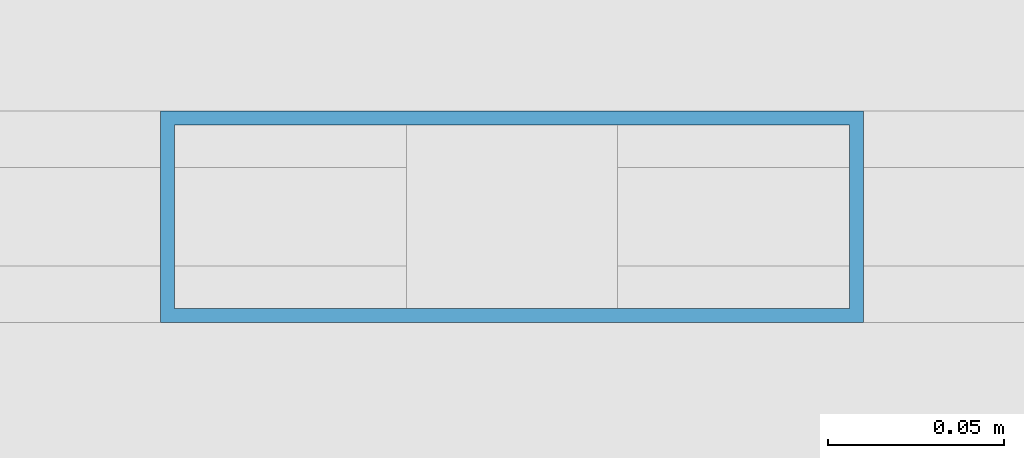
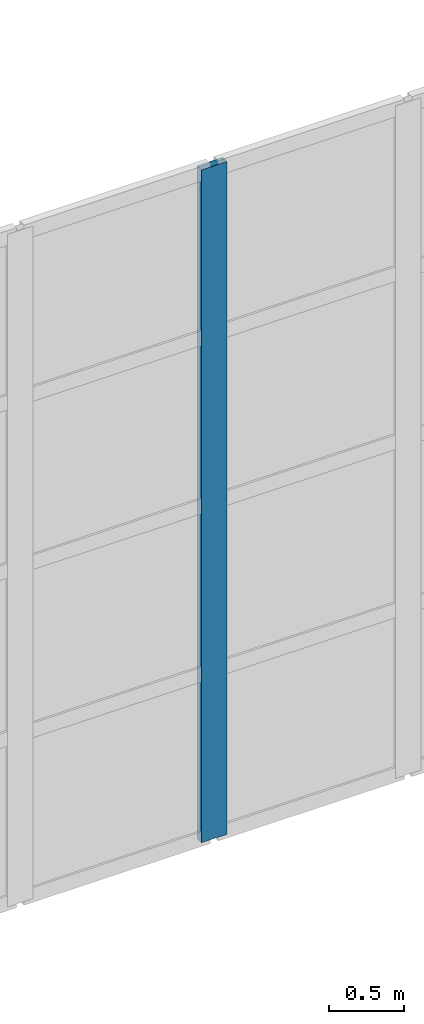
# One storey, part 157 of 437: 1 member, 1 element without a shape of its own.
"""IFC4 building model written with IfcOpenShell, lengths in metres."""

import ifcopenshell
import ifcopenshell.guid

model = None  # the IFC model being written
_history = None  # IfcOwnerHistory: only IFC2X3 demands one
_inside = {}  # id of a spatial element -> (the spatial element, [elements in it])
_under = {}  # id of a project, library or spatial element -> (it, [spatial elements below it])
_declared = {}  # id of a project -> (the project, [libraries it declares])
_typed = {}  # id of a type object -> (the type object, [elements of that type])
_made_of = {}  # id of a material, layer set ... -> (it, [elements and type objects made of it])


def new_model(schema):
    """Start an empty IFC model of exactly this schema.

    Asked for "IFC4X3", IfcOpenShell would pick the latest addendum, in which some entities
    have other attributes; the version numbers below select the first issue.
    IFC2X3 requires an IfcOwnerHistory on every rooted entity: one is made here for all.
    """
    global model, _history
    if schema == "IFC4X3":
        model = ifcopenshell.file(schema_version=(4, 3, 0, 0))
    else:
        model = ifcopenshell.file(schema=schema)
    _inside.clear()
    _under.clear()
    _declared.clear()
    _typed.clear()
    _made_of.clear()
    _history = None
    if model.schema == "IFC2X3":
        org = make("IfcOrganization", Name="unknown")
        user = make(
            "IfcPersonAndOrganization",
            ThePerson=make("IfcPerson", FamilyName="unknown"),
            TheOrganization=org,
        )
        app = make(
            "IfcApplication",
            ApplicationDeveloper=org,
            Version="unknown",
            ApplicationFullName="unknown",
            ApplicationIdentifier="unknown",
        )
        _history = make(
            "IfcOwnerHistory",
            OwningUser=user,
            OwningApplication=app,
            ChangeAction="ADDED",
            CreationDate=0,
        )
    return model


def make(cls, **values):
    """One entity of the class cls with the attributes given. An attribute that is None is left unset."""
    return model.create_entity(
        cls, **{name: value for name, value in values.items() if value is not None}
    )


def rooted(cls, **values):
    """An entity with a GlobalId (a new one), such as an element, a storey or a relation."""
    return make(cls, GlobalId=ifcopenshell.guid.new(), OwnerHistory=_history, **values)


def si_unit(unit_type, name, prefix=None):
    """IfcSIUnit, for example si_unit("LENGTHUNIT", "METRE", prefix="MILLI")."""
    return make("IfcSIUnit", UnitType=unit_type, Prefix=prefix, Name=name)


def assignment(units):
    """IfcUnitAssignment: the units of a project."""
    return None if units is None else make("IfcUnitAssignment", Units=units)


def point(xyz):
    """IfcCartesianPoint."""
    return None if xyz is None else make("IfcCartesianPoint", Coordinates=xyz)


def direction(xyz):
    """IfcDirection."""
    return None if xyz is None else make("IfcDirection", DirectionRatios=xyz)


def frame(location, z_axis=None, x_axis=None):
    """IfcAxis2Placement3D, a coordinate frame: its origin and axes. An axis left out is left unset."""
    return make(
        "IfcAxis2Placement3D",
        Location=point(location),
        Axis=direction(z_axis),
        RefDirection=direction(x_axis),
    )


def frame_2d(location, x_axis=None):
    """IfcAxis2Placement2D, a coordinate frame in the plane: its origin and x axis."""
    return make(
        "IfcAxis2Placement2D", Location=point(location), RefDirection=direction(x_axis)
    )


def origin():
    """The frame at (0, 0, 0) with its axes left unset."""
    return frame((0.0, 0.0, 0.0))


def origin_2d():
    """The frame at (0, 0) in the plane with its x axis left unset."""
    return frame_2d((0.0, 0.0))


def place(relative_to, where):
    """IfcLocalPlacement: puts the frame where relative to a parent placement (None: the world)."""
    return make(
        "IfcLocalPlacement", PlacementRelTo=relative_to, RelativePlacement=where
    )


def context(
    kind, dimensions, precision=None, world=None, true_north=None, identifier=None
):
    """IfcGeometricRepresentationContext, for example the 3D "Model" context."""
    return make(
        "IfcGeometricRepresentationContext",
        ContextIdentifier=identifier,
        ContextType=kind,
        CoordinateSpaceDimension=dimensions,
        Precision=precision,
        WorldCoordinateSystem=world,
        TrueNorth=true_north,
    )


def subcontext(parent, identifier, kind, view, scale=None):
    """IfcGeometricRepresentationSubContext, for example "Body" below "Model"."""
    return make(
        "IfcGeometricRepresentationSubContext",
        ContextIdentifier=identifier,
        ContextType=kind,
        ParentContext=parent,
        TargetScale=scale,
        TargetView=view,
    )


def project(units=None, contexts=None):
    """IfcProject with its units and contexts."""
    return rooted(
        "IfcProject",
        Name="project",
        RepresentationContexts=contexts,
        UnitsInContext=assignment(units),
    )


def spatial(cls, under=None, at=None, **own):
    """A site, building, storey or space (cls), placed at a placement, below another one or the project."""
    s = rooted(cls, ObjectPlacement=at, **own)
    if under is not None:
        _under.setdefault(under.id(), (under, []))[1].append(s)
    return s


def profile(cls, at=None, kind="AREA", **sizes):
    """A parametric profile (cls). Its sizes go by their IFC names, for example OverallWidth=200.0."""
    return make(cls, ProfileType=kind, Position=at, **sizes)


def hollow_rectangle(**sizes):
    """IfcRectangleHollowProfileDef."""
    return profile("IfcRectangleHollowProfileDef", **sizes)


def extrude(swept, where, along, depth):
    """IfcExtrudedAreaSolid: the profile swept, set in the frame where, extruded along a direction by depth."""
    return make(
        "IfcExtrudedAreaSolid",
        SweptArea=swept,
        Position=where,
        ExtrudedDirection=direction(along),
        Depth=depth,
    )


def shape(context_of_items, identifier, shape_type, items):
    """IfcShapeRepresentation: the items that make up one representation, for example the "Body"."""
    return make(
        "IfcShapeRepresentation",
        ContextOfItems=context_of_items,
        RepresentationIdentifier=identifier,
        RepresentationType=shape_type,
        Items=items,
    )


def material(Name=None, Category=None):
    """IfcMaterial."""
    return make("IfcMaterial", Name=Name, Category=Category)


def layer(
    of_material, thickness, ventilated=None, Name=None, Category=None, Priority=None
):
    """IfcMaterialLayer: one layer of a wall or slab, of a material (None: an air gap)."""
    return make(
        "IfcMaterialLayer",
        Material=of_material,
        LayerThickness=thickness,
        IsVentilated=ventilated,
        Name=Name,
        Category=Category,
        Priority=Priority,
    )


def layer_set(layers, Name=None):
    """IfcMaterialLayerSet."""
    return make("IfcMaterialLayerSet", MaterialLayers=layers, LayerSetName=Name)


def material_profile(
    of_material, cross_section, Name=None, Category=None, Priority=None
):
    """IfcMaterialProfile: a cross section and its material."""
    return make(
        "IfcMaterialProfile",
        Name=Name,
        Material=of_material,
        Profile=cross_section,
        Priority=Priority,
        Category=Category,
    )


def profile_set(profiles, Name=None, composite=None):
    """IfcMaterialProfileSet."""
    return make(
        "IfcMaterialProfileSet",
        Name=Name,
        MaterialProfiles=profiles,
        CompositeProfile=composite,
    )


def made_of(thing, what):
    """Note that an element or type object is made of a material, layer set ...; save() writes the relation."""
    if what is not None:
        _made_of.setdefault(what.id(), (what, []))[1].append(thing)
    return thing


def type_object(cls, material=None, **own):
    """A type object (cls), such as IfcWallType, which elements share."""
    return made_of(rooted(cls, **own), material)


def element(
    cls,
    number,
    at=None,
    inside=None,
    cuts=None,
    type_object=None,
    material=None,
    context=None,
    identifier="Body",
    shape_type=None,
    held_by="IfcProductDefinitionShape",
    body=None,
    shapes=None,
    **own,
):
    """One element of the class cls, such as IfcWall. Its Tag is "e" and its number.

    at: its placement. inside: the storey or other place that contains it. cuts: it is an
    opening in that element (IfcRelVoidsElement). A single representation is given by context,
    identifier, shape_type and body (its items); several are given by shapes. held_by: the class
    of the entity that holds the representations. save() writes the other relations.
    """
    e = rooted(cls, Tag="e%d" % number, ObjectPlacement=at, **own)
    if body is not None:
        shapes = [shape(context, identifier, shape_type, body)]
    if shapes is not None:
        e.Representation = make(held_by, Representations=shapes)
    if inside is not None:
        _inside.setdefault(inside.id(), (inside, []))[1].append(e)
    if cuts is not None:
        rooted(
            "IfcRelVoidsElement", RelatingBuildingElement=cuts, RelatedOpeningElement=e
        )
    if type_object is not None:
        _typed.setdefault(type_object.id(), (type_object, []))[1].append(e)
    return made_of(e, material)


def aggregate(whole, parts):
    """IfcRelAggregates: a whole, such as a stair, and the parts it consists of."""
    return rooted("IfcRelAggregates", RelatingObject=whole, RelatedObjects=parts)


def save(model, path):
    """Write the relations noted so far, then the file.

    IfcRelAggregates (storeys below a building ...), IfcRelContainedInSpatialStructure (elements
    in a storey), IfcRelDefinesByType, IfcRelAssociatesMaterial and IfcRelDeclares: one each for
    every whole, place, type object, material and project.
    """
    for whole, parts in _under.values():
        aggregate(whole, parts)
    for where, things in _inside.values():
        rooted(
            "IfcRelContainedInSpatialStructure",
            RelatedElements=things,
            RelatingStructure=where,
        )
    for kind, things in _typed.values():
        rooted("IfcRelDefinesByType", RelatedObjects=things, RelatingType=kind)
    for what, things in _made_of.values():
        rooted("IfcRelAssociatesMaterial", RelatedObjects=things, RelatingMaterial=what)
    for by, libraries in _declared.values():
        rooted("IfcRelDeclares", RelatingContext=by, RelatedDefinitions=libraries)
    model.write(path)


model = new_model("IFC4")

# Units and contexts
model_context = context("Model", 3, precision=1e-05, world=origin(), true_north=direction((0.0, 1.0)))
body_context = subcontext(model_context, "Body", "Model", "MODEL_VIEW")
ifc_project = project(units=[si_unit("LENGTHUNIT", "METRE"), si_unit("AREAUNIT", "SQUARE_METRE"), si_unit("VOLUMEUNIT", "CUBIC_METRE"), si_unit("PLANEANGLEUNIT", "RADIAN"), si_unit("MASSUNIT", "GRAM", prefix="KILO")], contexts=[model_context])

# Site, building, storey
site_placement = place(None, origin())
site = spatial("IfcSite", under=ifc_project, at=site_placement, CompositionType="ELEMENT")
building_placement = place(site_placement, origin())
building = spatial("IfcBuilding", under=site, at=building_placement, Name="Opaline Strait Convention Centre", CompositionType="ELEMENT")
storey_placement = place(building_placement, frame((0.0, 0.0, 11.5)))
storey = spatial("IfcBuildingStorey", under=building, at=storey_placement, Name="L02", CompositionType="ELEMENT", Elevation=11.5)

# Curtain wall, member
ifc_material_1 = material(Name="Aluminium framed glazing", Category="aluminium")
ifc_layer = layer(ifc_material_1, 0.199951171875)
ifc_layer_set = layer_set([ifc_layer], Name="Aluminium framed glazing")
curtain_wall_type = type_object("IfcCurtainWallType", Name="Entrance curtain wall 1500", PredefinedType="NOTDEFINED", material=ifc_layer_set)
curtain_wall_placement = place(storey_placement, origin())
curtain_wall = element("IfcCurtainWall", 1, at=curtain_wall_placement, inside=storey, type_object=curtain_wall_type, Name="Entrance curtain wall L02-R1", PredefinedType="NOTDEFINED")
ifc_material_2 = material(Name="Aluminium alloy 6063", Category="aluminium")
ifc_material_profile = material_profile(ifc_material_2, hollow_rectangle(XDim=0.06005859375, YDim=0.199951171875, WallThickness=0.00390625, at=origin_2d()), Name="MULLION 60x200x4")
ifc_profile_set = profile_set([ifc_material_profile], Name="Aluminium alloy 6063")
member_type = type_object("IfcMemberType", Name="Curtain wall mullion 60 x 200", PredefinedType="MULLION", material=ifc_profile_set)
member_placement = place(storey_placement, frame((157.5, 144.0, 0.0), z_axis=(0.0, 0.0, 1.0), x_axis=(0.0, 1.0, 0.0)))
member = element("IfcMember", 2, at=member_placement, type_object=member_type, Name="XCW mullion 4", PredefinedType="MULLION", context=body_context, shape_type="SweptSolid", body=[
    extrude(hollow_rectangle(XDim=0.06005859375, YDim=0.199951171875, WallThickness=0.00390625, at=origin_2d()), origin(), (0.0, 0.0, 1.0), 5.5),
])
aggregate(curtain_wall, [member])

save(model, "model.ifc")
